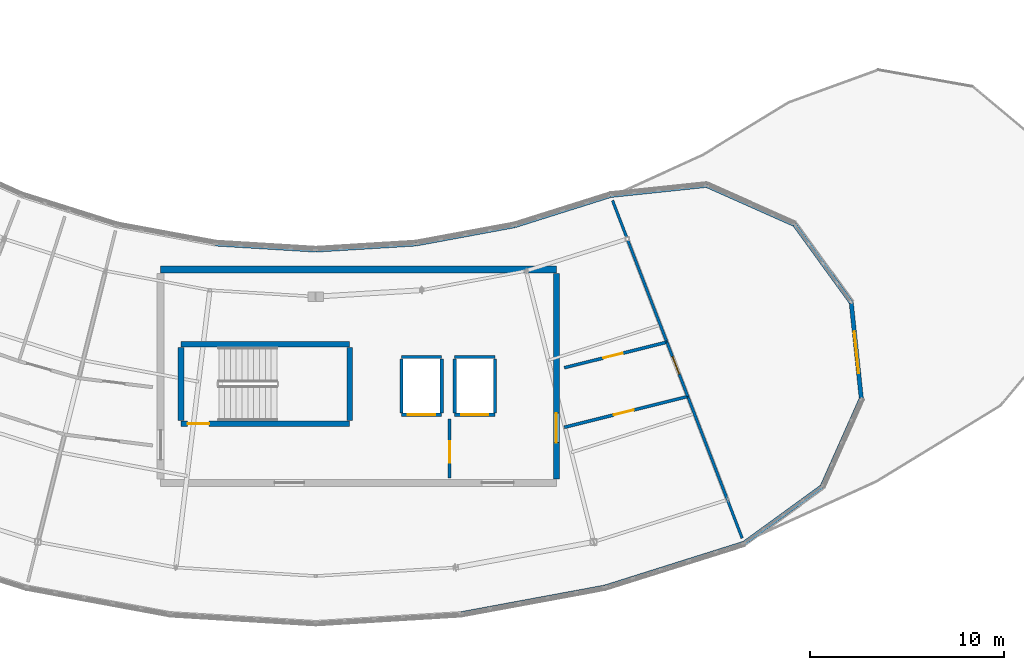
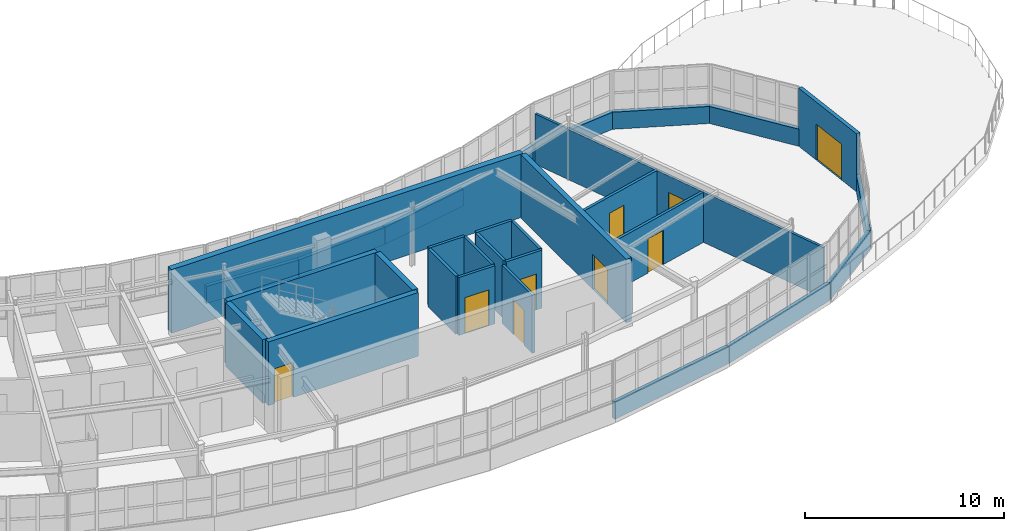
# One storey, part 53 of 65: 32 walls, 9 doors, 9 openings.
"""IFC4 building model written with IfcOpenShell, lengths in metres."""

from ifc_helpers import new_model, si_unit, direction, frame, frame_2d, origin, place, context, subcontext, project, spatial, rectangle, extrude, material, layer, layer_set, type_object, element, fill, save


model = new_model("IFC4")

# Units and contexts
model_context = context("Model", 3, precision=1e-05, world=origin(), true_north=direction((0.0, 1.0)))
body_context = subcontext(model_context, "Body", "Model", "MODEL_VIEW")
ifc_project = project(units=[si_unit("LENGTHUNIT", "METRE"), si_unit("AREAUNIT", "SQUARE_METRE"), si_unit("VOLUMEUNIT", "CUBIC_METRE"), si_unit("PLANEANGLEUNIT", "RADIAN"), si_unit("MASSUNIT", "GRAM", prefix="KILO")], contexts=[model_context])

# Site, building, storey
site_placement = place(None, origin())
site = spatial("IfcSite", under=ifc_project, at=site_placement, CompositionType="ELEMENT")
building_placement = place(site_placement, origin())
building = spatial("IfcBuilding", under=site, at=building_placement, Name="Tarnwether General Hospital", CompositionType="ELEMENT")
storey_placement = place(building_placement, frame((0.0, 0.0, 22.199951171875)))
storey = spatial("IfcBuildingStorey", under=building, at=storey_placement, Name="L05", CompositionType="ELEMENT", Elevation=22.199951171875)

# Walls
ifc_material_1 = material(Name="Streamlined white enamelled aluminium", Category="aluminium")
ifc_layer_1 = layer(ifc_material_1, 0.219970703125)
ifc_layer_set_1 = layer_set([ifc_layer_1], Name="Streamlined white enamelled aluminium")
wall_type_1 = type_object("IfcWallType", Name="WL-EX220", PredefinedType="STANDARD", material=ifc_layer_set_1)
wall_1_placement = place(storey_placement, frame((106.902099609375, 3.22998046875, 0.0), z_axis=(0.0, 0.0, 1.0), x_axis=(-0.983242805192, -0.18230081195, 0.0)))
element("IfcWall", 1, at=wall_1_placement, inside=storey, type_object=wall_type_1, Name="Ward SE Streamlined White Spandrel EW-L05-0225", PredefinedType="STANDARD", context=body_context, shape_type="SweptSolid", body=[
    extrude(rectangle(XDim=7.52099609375, YDim=0.219970703125, at=frame_2d((3.760498046875, 0.0))), origin(), (0.0, 0.0, 1.0), 1.050048828125),
])
wall_2_placement = place(storey_placement, frame((114.074951171875, 5.490966796875, 0.0), z_axis=(0.0, 0.0, 1.0), x_axis=(-0.953740021466, -0.300632618747, 0.0)))
element("IfcWall", 2, at=wall_2_placement, inside=storey, type_object=wall_type_1, Name="Ward SE Streamlined White Spandrel EW-L05-0226", PredefinedType="STANDARD", context=body_context, shape_type="SweptSolid", body=[
    extrude(rectangle(XDim=7.520751953125, YDim=0.219970703125, at=frame_2d((3.76025390625, 0.0))), origin(), (0.0, 0.0, 1.0), 1.050048828125),
])
wall_3_placement = place(storey_placement, frame((118.095947265625, 8.412109375, 0.0), z_axis=(0.0, 0.0, 1.0), x_axis=(-0.809043983396, -0.587748103299, 0.0)))
element("IfcWall", 3, at=wall_3_placement, inside=storey, type_object=wall_type_1, Name="Ward SE Streamlined White Spandrel EW-L05-0227", PredefinedType="STANDARD", context=body_context, shape_type="SweptSolid", body=[
    extrude(rectangle(XDim=4.969970703125, YDim=0.219970703125, at=frame_2d((2.48486328125, 0.0))), origin(), (0.0, 0.0, 1.0), 1.050048828125),
])
wall_4_placement = place(storey_placement, frame((120.116943359375, 12.951904296875, 0.0), z_axis=(0.0, 0.0, 1.0), x_axis=(-0.406694517229, -0.913564212114, 0.0)))
element("IfcWall", 4, at=wall_4_placement, inside=storey, type_object=wall_type_1, Name="Ward SE Streamlined White Spandrel EW-L05-0228", PredefinedType="STANDARD", context=body_context, shape_type="SweptSolid", body=[
    extrude(rectangle(XDim=4.96923828125, YDim=0.219970703125, at=frame_2d((2.484619140625, 0.0))), origin(), (0.0, 0.0, 1.0), 1.050048828125),
])

# Wall, opening, door
wall_5_placement = place(storey_placement, frame((119.597900390625, 17.89404296875, 0.0), z_axis=(0.0, 0.0, 1.0), x_axis=(0.104449497986, -0.994530191784, 0.0)))
wall_5 = element("IfcWall", 5, at=wall_5_placement, inside=storey, type_object=wall_type_1, Name="Ward SE Terrace Access Wall EW-L05-0229", PredefinedType="STANDARD", context=body_context, shape_type="SweptSolid", body=[
    extrude(rectangle(XDim=4.96923828125, YDim=0.219970703125, at=frame_2d((2.484619140625, 0.0))), origin(), (0.0, 0.0, 1.0), 3.56005859375),
])
opening_1_placement = place(wall_5_placement, frame((1.5, 0.0, 0.0)))
opening_1 = element("IfcOpeningElement", 6, at=opening_1_placement, cuts=wall_5, Name="Opening ED-03", PredefinedType="OPENING", context=body_context, shape_type="SweptSolid", body=[
    extrude(rectangle(XDim=2.159912109375, YDim=2.199951171875, at=frame_2d((1.080078125, 1.10009765625))), frame((0.0, 0.1201171875, 0.0), z_axis=(0.0, -1.0, 0.0), x_axis=(1.0, 0.0, 0.0)), (0.0, 0.0, 1.0), 0.239990234375),
])
ifc_material_2 = material(Name="Anodised aluminium", Category="aluminium")
door_type_1 = type_object("IfcDoorType", Name="DR-EX03", OperationType="NOTDEFINED", PredefinedType="DOOR", material=ifc_material_2)
door_1_placement = place(opening_1_placement, origin())
door_1 = element("IfcDoor", 7, at=door_1_placement, inside=storey, type_object=door_type_1, Name="Healing Terrace Access Door ED-L05-0002", OperationType="DOUBLE_DOOR_SINGLE_SWING", OverallHeight=2.199951171875, OverallWidth=2.159912109375, PredefinedType="DOOR", context=body_context, shape_type="SweptSolid", body=[
    extrude(rectangle(XDim=2.159912109375, YDim=2.199951171875, at=frame_2d((1.080078125, 1.10009765625))), frame((0.0, 0.02490234375, 0.0), z_axis=(0.0, -1.0, 0.0), x_axis=(1.0, 0.0, 0.0)), (0.0, 0.0, 1.0), 0.050048828125),
])
fill(opening_1, door_1)

# Walls
wall_6_placement = place(storey_placement, frame((116.677001953125, 21.9140625, 0.0), z_axis=(0.0, 0.0, 1.0), x_axis=(0.587809393373, -0.808999454303, 0.0)))
element("IfcWall", 8, at=wall_6_placement, inside=storey, type_object=wall_type_1, Name="Ward SE Streamlined White Spandrel EW-L05-0230", PredefinedType="STANDARD", context=body_context, shape_type="SweptSolid", body=[
    extrude(rectangle(XDim=4.96923828125, YDim=0.219970703125, at=frame_2d((2.484619140625, 0.0))), origin(), (0.0, 0.0, 1.0), 1.050048828125),
])
wall_7_placement = place(storey_placement, frame((112.136962890625, 23.93603515625, 0.0), z_axis=(0.0, 0.0, 1.0), x_axis=(0.913499319942, -0.406840254235, 0.0)))
element("IfcWall", 9, at=wall_7_placement, inside=storey, type_object=wall_type_1, Name="Ward SE Streamlined White Spandrel EW-L05-0231", PredefinedType="STANDARD", context=body_context, shape_type="SweptSolid", body=[
    extrude(rectangle(XDim=4.969970703125, YDim=0.219970703125, at=frame_2d((2.48486328125, 0.0))), origin(), (0.0, 0.0, 1.0), 1.050048828125),
])
wall_8_placement = place(storey_placement, frame((107.195068359375, 23.416015625, 0.0), z_axis=(0.0, 0.0, 1.0), x_axis=(0.994509221228, 0.10464897941, 0.0)))
element("IfcWall", 10, at=wall_8_placement, inside=storey, type_object=wall_type_1, Name="Ward SE Streamlined White Spandrel EW-L05-0232", PredefinedType="STANDARD", context=body_context, shape_type="SweptSolid", body=[
    extrude(rectangle(XDim=4.96923828125, YDim=0.219970703125, at=frame_2d((2.484619140625, 0.0))), origin(), (0.0, 0.0, 1.0), 1.050048828125),
])
wall_9_placement = place(storey_placement, frame((102.257080078125, 21.85888671875, 0.0), z_axis=(0.0, 0.0, 1.0), x_axis=(0.953706582316, 0.300738681994, 0.0)))
element("IfcWall", 11, at=wall_9_placement, inside=storey, type_object=wall_type_1, Name="Ward SE Streamlined White Spandrel EW-L05-0233", PredefinedType="STANDARD", context=body_context, shape_type="SweptSolid", body=[
    extrude(rectangle(XDim=5.177734375, YDim=0.219970703125, at=frame_2d((2.5888671875, 0.0))), origin(), (0.0, 0.0, 1.0), 1.050048828125),
])
for number, where, z_axis, x_axis, name in (
    (12, (97.1669921875, 20.916015625, 0.0), (0.0, 0.0, 1.0), (0.98327293422, 0.182138235501, 0.0), "Ward SE Streamlined White Spandrel EW-L05-0234"),
    (13, (92.0, 20.60009765625, 0.0), (0.0, 0.0, 1.0), (0.998136079034, 0.061027598104, 0.0), "Ward SE Streamlined White Spandrel EW-L05-0235"),
    (14, (86.8330078125, 20.916015625, 0.0), (0.0, 0.0, 1.0), (0.998136079034, -0.061027598104, 0.0), "Ward SE Streamlined White Spandrel EW-L05-0236"),
):
    element("IfcWall", number, at=place(storey_placement, frame(where, z_axis=z_axis, x_axis=x_axis)), inside=storey, type_object=wall_type_1, Name=name, PredefinedType="STANDARD", context=body_context, shape_type="SweptSolid", body=[
        extrude(rectangle(XDim=5.1767578125, YDim=0.219970703125, at=frame_2d((2.58837890625, 0.0))), origin(), (0.0, 0.0, 1.0), 1.050048828125),
    ])
ifc_material_3 = material(Name="Gypsum plasterboard")
ifc_layer_2 = layer(ifc_material_3, 0.139892578125)
ifc_layer_set_2 = layer_set([ifc_layer_2], Name="Gypsum plasterboard")
wall_type_2 = type_object("IfcWallType", Name="WL-PT140", PredefinedType="PARTITIONING", material=ifc_layer_set_2)
wall_10_placement = place(storey_placement, frame((111.173095703125, 13.052978515625, 0.0), z_axis=(0.0, 0.0, 1.0), x_axis=(0.358342954102, -0.933590020965, 0.0)))
element("IfcWall", 15, at=wall_10_placement, inside=storey, type_object=wall_type_2, Name="Interior Partition PT-L05-0466", PredefinedType="PARTITIONING", context=body_context, shape_type="SweptSolid", body=[
    extrude(rectangle(XDim=7.8193359375, YDim=0.139892578125, at=frame_2d((3.90966796875, 0.0))), origin(), (0.0, 0.0, 1.0), 3.088134765625),
])
wall_11_placement = place(storey_placement, frame((110.097900390625, 15.85400390625, 0.0), z_axis=(0.0, 0.0, 1.0), x_axis=(-0.358410014332, 0.933564278251, 0.0)))
element("IfcWall", 16, at=wall_11_placement, inside=storey, type_object=wall_type_2, Name="Interior Partition PT-L05-0468", PredefinedType="PARTITIONING", context=body_context, shape_type="SweptSolid", body=[
    extrude(rectangle(XDim=7.820556640625, YDim=0.139892578125, at=frame_2d((3.91015625, 0.0))), origin(), (0.0, 0.0, 1.0), 3.088134765625),
])

# Wall, opening, door
wall_12_placement = place(storey_placement, frame((110.097900390625, 15.85400390625, 0.0), z_axis=(0.0, 0.0, 1.0), x_axis=(0.358362837932, -0.933582388646, 0.0)))
wall_12 = element("IfcWall", 17, at=wall_12_placement, inside=storey, type_object=wall_type_2, Name="Interior Partition PT-L05-0470", PredefinedType="PARTITIONING", context=body_context, shape_type="SweptSolid", body=[
    extrude(rectangle(XDim=3.000244140625, YDim=0.139892578125, at=frame_2d((1.5, 0.0))), origin(), (0.0, 0.0, 1.0), 3.088134765625),
])
opening_2_placement = place(wall_12_placement, frame((0.800048828125, 0.0, 0.0)))
opening_2 = element("IfcOpeningElement", 18, at=opening_2_placement, cuts=wall_12, Name="Opening D-10", PredefinedType="OPENING", context=body_context, shape_type="SweptSolid", body=[
    extrude(rectangle(XDim=0.9599609375, YDim=2.06005859375, at=frame_2d((0.47998046875, 1.030029296875))), frame((0.0, 0.080078125, 0.0), z_axis=(0.0, -1.0, 0.0), x_axis=(1.0, 0.0, 0.0)), (0.0, 0.0, 1.0), 0.159912109375),
])
ifc_material_4 = material(Name="Anodised aluminium", Category="aluminium")
door_type_2 = type_object("IfcDoorType", Name="DR-IN10", OperationType="NOTDEFINED", PredefinedType="DOOR", material=ifc_material_4)
door_2_placement = place(opening_2_placement, origin())
door_2 = element("IfcDoor", 19, at=door_2_placement, inside=storey, type_object=door_type_2, Name="Interior Door DR-L05-0260", OperationType="SINGLE_SWING_RIGHT", OverallHeight=2.06005859375, OverallWidth=0.9599609375, PredefinedType="DOOR", context=body_context, shape_type="SweptSolid", body=[
    extrude(rectangle(XDim=0.9599609375, YDim=2.06005859375, at=frame_2d((0.47998046875, 1.030029296875))), frame((0.0, 0.02490234375, 0.0), z_axis=(0.0, -1.0, 0.0), x_axis=(1.0, 0.0, 0.0)), (0.0, 0.0, 1.0), 0.050048828125),
])
fill(opening_2, door_2)

ifc_material_5 = material(Name="Gypsum plasterboard")
ifc_layer_3 = layer(ifc_material_5, 0.159912109375)
ifc_layer_set_3 = layer_set([ifc_layer_3], Name="Gypsum plasterboard")
wall_type_3 = type_object("IfcWallType", Name="WL-PT160", PredefinedType="PARTITIONING", material=ifc_layer_set_3)
wall_13_placement = place(storey_placement, frame((96.409912109375, 12.110107421875, 0.0), z_axis=(0.0, 0.0, 1.0), x_axis=(1.0, 0.0, 0.0)))
wall_13 = element("IfcWall", 20, at=wall_13_placement, inside=storey, type_object=wall_type_3, Name="Lift L-02 Shaft Wall LSH-L-02-L05-S", PredefinedType="PARTITIONING", context=body_context, shape_type="SweptSolid", body=[
    extrude(rectangle(XDim=2.080078125, YDim=0.159912109375, at=frame_2d((1.0400390625, 0.0))), origin(), (0.0, 0.0, 1.0), 3.56005859375),
])
opening_3_placement = place(wall_13_placement, frame((0.340087890625, 0.0, 0.0)))
opening_3 = element("IfcOpeningElement", 21, at=opening_3_placement, cuts=wall_13, Name="Opening LD-01", PredefinedType="OPENING", context=body_context, shape_type="SweptSolid", body=[
    extrude(rectangle(XDim=1.39990234375, YDim=2.199951171875, at=frame_2d((0.699951171875, 1.10009765625))), frame((0.0, 0.08984375, 0.0), z_axis=(0.0, -1.0, 0.0), x_axis=(1.0, 0.0, 0.0)), (0.0, 0.0, 1.0), 0.179931640625),
])
ifc_material_6 = material(Name="Anodised aluminium", Category="aluminium")
door_type_3 = type_object("IfcDoorType", Name="DR-LD01", OperationType="NOTDEFINED", PredefinedType="DOOR", material=ifc_material_6)
door_3_placement = place(opening_3_placement, origin())
door_3 = element("IfcDoor", 22, at=door_3_placement, inside=storey, type_object=door_type_3, Name="Lift L-02 Sliding Landing Door L05", OperationType="SLIDING_TO_LEFT", OverallHeight=2.199951171875, OverallWidth=1.39990234375, PredefinedType="DOOR", context=body_context, shape_type="SweptSolid", body=[
    extrude(rectangle(XDim=1.39990234375, YDim=2.199951171875, at=frame_2d((0.699951171875, 1.10009765625))), frame((0.0, 0.02490234375, 0.0), z_axis=(0.0, -1.0, 0.0), x_axis=(1.0, 0.0, 0.0)), (0.0, 0.0, 1.0), 0.050048828125),
])
fill(opening_3, door_3)

# Walls
wall_14_placement = place(storey_placement, frame((98.489990234375, 15.090087890625, 0.0), z_axis=(0.0, 0.0, 1.0), x_axis=(-1.0, 0.0, 0.0)))
element("IfcWall", 23, at=wall_14_placement, inside=storey, type_object=wall_type_3, Name="Lift L-02 Shaft Wall LSH-L-02-L05-N", PredefinedType="PARTITIONING", context=body_context, shape_type="SweptSolid", body=[
    extrude(rectangle(XDim=2.080078125, YDim=0.159912109375, at=frame_2d((1.0400390625, 0.0))), origin(), (0.0, 0.0, 1.0), 3.56005859375),
])
for number, where, z_axis, x_axis, name in (
    (24, (96.409912109375, 14.989990234375, 0.0), (0.0, 0.0, 1.0), (0.0, -1.0, 0.0), "Lift L-02 Shaft Wall LSH-L-02-L05-W"),
    (25, (98.489990234375, 12.2099609375, 0.0), (0.0, 0.0, 1.0), (0.0, 1.0, 0.0), "Lift L-02 Shaft Wall LSH-L-02-L05-E"),
):
    element("IfcWall", number, at=place(storey_placement, frame(where, z_axis=z_axis, x_axis=x_axis)), inside=storey, type_object=wall_type_3, Name=name, PredefinedType="PARTITIONING", context=body_context, shape_type="SweptSolid", body=[
        extrude(rectangle(XDim=2.780029296875, YDim=0.159912109375, at=frame_2d((1.39013671875, 0.0))), origin(), (0.0, 0.0, 1.0), 3.56005859375),
    ])

# Wall, opening, door
wall_15_placement = place(storey_placement, frame((99.159912109375, 12.110107421875, 0.0), z_axis=(0.0, 0.0, 1.0), x_axis=(1.0, 0.0, 0.0)))
wall_15 = element("IfcWall", 26, at=wall_15_placement, inside=storey, type_object=wall_type_3, Name="Lift L-04 Shaft Wall LSH-L-04-L05-S", PredefinedType="PARTITIONING", context=body_context, shape_type="SweptSolid", body=[
    extrude(rectangle(XDim=2.080078125, YDim=0.159912109375, at=frame_2d((1.0400390625, 0.0))), origin(), (0.0, 0.0, 1.0), 3.56005859375),
])
opening_4_placement = place(wall_15_placement, frame((0.340087890625, 0.0, 0.0)))
opening_4 = element("IfcOpeningElement", 27, at=opening_4_placement, cuts=wall_15, Name="Opening LD-01", PredefinedType="OPENING", context=body_context, shape_type="SweptSolid", body=[
    extrude(rectangle(XDim=1.39990234375, YDim=2.199951171875, at=frame_2d((0.699951171875, 1.10009765625))), frame((0.0, 0.08984375, 0.0), z_axis=(0.0, -1.0, 0.0), x_axis=(1.0, 0.0, 0.0)), (0.0, 0.0, 1.0), 0.179931640625),
])
door_4_placement = place(opening_4_placement, origin())
door_4 = element("IfcDoor", 28, at=door_4_placement, inside=storey, type_object=door_type_3, Name="Lift L-04 Sliding Landing Door L05", OperationType="SLIDING_TO_LEFT", OverallHeight=2.199951171875, OverallWidth=1.39990234375, PredefinedType="DOOR", context=body_context, shape_type="SweptSolid", body=[
    extrude(rectangle(XDim=1.39990234375, YDim=2.199951171875, at=frame_2d((0.699951171875, 1.10009765625))), frame((0.0, 0.02490234375, 0.0), z_axis=(0.0, -1.0, 0.0), x_axis=(1.0, 0.0, 0.0)), (0.0, 0.0, 1.0), 0.050048828125),
])
fill(opening_4, door_4)

# Walls
wall_16_placement = place(storey_placement, frame((101.239990234375, 15.090087890625, 0.0), z_axis=(0.0, 0.0, 1.0), x_axis=(-1.0, 0.0, 0.0)))
element("IfcWall", 29, at=wall_16_placement, inside=storey, type_object=wall_type_3, Name="Lift L-04 Shaft Wall LSH-L-04-L05-N", PredefinedType="PARTITIONING", context=body_context, shape_type="SweptSolid", body=[
    extrude(rectangle(XDim=2.080078125, YDim=0.159912109375, at=frame_2d((1.0400390625, 0.0))), origin(), (0.0, 0.0, 1.0), 3.56005859375),
])
for number, where, z_axis, x_axis, name in (
    (30, (99.159912109375, 14.989990234375, 0.0), (0.0, 0.0, 1.0), (0.0, -1.0, 0.0), "Lift L-04 Shaft Wall LSH-L-04-L05-W"),
    (31, (101.239990234375, 12.2099609375, 0.0), (0.0, 0.0, 1.0), (0.0, 1.0, 0.0), "Lift L-04 Shaft Wall LSH-L-04-L05-E"),
):
    element("IfcWall", number, at=place(storey_placement, frame(where, z_axis=z_axis, x_axis=x_axis)), inside=storey, type_object=wall_type_3, Name=name, PredefinedType="PARTITIONING", context=body_context, shape_type="SweptSolid", body=[
        extrude(rectangle(XDim=2.780029296875, YDim=0.159912109375, at=frame_2d((1.39013671875, 0.0))), origin(), (0.0, 0.0, 1.0), 3.56005859375),
    ])

# Wall, opening, door
wall_17_placement = place(storey_placement, frame((98.89990234375, 8.85009765625, 0.0), z_axis=(0.0, 0.0, 1.0), x_axis=(0.0, 1.0, 0.0)))
wall_17 = element("IfcWall", 32, at=wall_17_placement, inside=storey, type_object=wall_type_3, Name="Firefighting Lobby Divider K2 L05", PredefinedType="PARTITIONING", context=body_context, shape_type="SweptSolid", body=[
    extrude(rectangle(XDim=3.0498046875, YDim=0.159912109375, at=frame_2d((1.52490234375, 0.0))), origin(), (0.0, 0.0, 1.0), 3.56005859375),
])
opening_5_placement = place(wall_17_placement, frame((0.800048828125, 0.0, 0.0)))
opening_5 = element("IfcOpeningElement", 33, at=opening_5_placement, cuts=wall_17, Name="Opening FD-06", PredefinedType="OPENING", context=body_context, shape_type="SweptSolid", body=[
    extrude(rectangle(XDim=1.10009765625, YDim=2.14990234375, at=frame_2d((0.550048828125, 1.074951171875))), frame((0.0, 0.08984375, 0.0), z_axis=(0.0, -1.0, 0.0), x_axis=(1.0, 0.0, 0.0)), (0.0, 0.0, 1.0), 0.179931640625),
])
ifc_material_7 = material(Name="Anodised aluminium", Category="aluminium")
door_type_4 = type_object("IfcDoorType", Name="DR-FD06", OperationType="NOTDEFINED", PredefinedType="DOOR", material=ifc_material_7)
door_5_placement = place(opening_5_placement, origin())
door_5 = element("IfcDoor", 34, at=door_5_placement, inside=storey, type_object=door_type_4, Name="Core K2 Inter-Lobby Smoke Door L05", OperationType="SINGLE_SWING_RIGHT", OverallHeight=2.14990234375, OverallWidth=1.10009765625, PredefinedType="DOOR", context=body_context, shape_type="SweptSolid", body=[
    extrude(rectangle(XDim=1.10009765625, YDim=2.14990234375, at=frame_2d((0.550048828125, 1.074951171875))), frame((0.0, 0.02490234375, 0.0), z_axis=(0.0, -1.0, 0.0), x_axis=(1.0, 0.0, 0.0)), (0.0, 0.0, 1.0), 0.050048828125),
])
fill(opening_5, door_5)

wall_18_placement = place(storey_placement, frame((104.81005859375, 11.467041015625, 0.0), z_axis=(0.0, 0.0, 1.0), x_axis=(0.970315261497, 0.241843530625, 0.0)))
wall_18 = element("IfcWall", 35, at=wall_18_placement, inside=storey, type_object=wall_type_3, Name="Interior Partition PT-L05-0465", PredefinedType="PARTITIONING", context=body_context, shape_type="SweptSolid", body=[
    extrude(rectangle(XDim=6.5576171875, YDim=0.159912109375, at=frame_2d((3.27880859375, 0.0))), origin(), (0.0, 0.0, 1.0), 3.0849609375),
])
opening_6_placement = place(wall_18_placement, frame((2.62890625, 0.0, 0.0)))
opening_6 = element("IfcOpeningElement", 36, at=opening_6_placement, cuts=wall_18, Name="Opening D-08", PredefinedType="OPENING", context=body_context, shape_type="SweptSolid", body=[
    extrude(rectangle(XDim=1.06005859375, YDim=2.10009765625, at=frame_2d((0.530029296875, 1.050048828125))), frame((0.0, 0.08984375, 0.0), z_axis=(0.0, -1.0, 0.0), x_axis=(1.0, 0.0, 0.0)), (0.0, 0.0, 1.0), 0.179931640625),
])
ifc_material_8 = material(Name="Anodised aluminium", Category="aluminium")
door_type_5 = type_object("IfcDoorType", Name="DR-IN08", OperationType="NOTDEFINED", PredefinedType="DOOR", material=ifc_material_8)
door_6_placement = place(opening_6_placement, origin())
door_6 = element("IfcDoor", 37, at=door_6_placement, inside=storey, type_object=door_type_5, Name="Interior Door DR-L05-0258", OperationType="SINGLE_SWING_RIGHT", OverallHeight=2.10009765625, OverallWidth=1.06005859375, PredefinedType="DOOR", context=body_context, shape_type="SweptSolid", body=[
    extrude(rectangle(XDim=1.06005859375, YDim=2.10009765625, at=frame_2d((0.530029296875, 1.050048828125))), frame((0.0, 0.02490234375, 0.0), z_axis=(0.0, -1.0, 0.0), x_axis=(1.0, 0.0, 0.0)), (0.0, 0.0, 1.0), 0.050048828125),
])
fill(opening_6, door_6)

wall_19_placement = place(storey_placement, frame((104.81005859375, 14.535888671875, 0.0), z_axis=(0.0, 0.0, 1.0), x_axis=(0.970308293834, 0.241871484298, 0.0)))
wall_19 = element("IfcWall", 38, at=wall_19_placement, inside=storey, type_object=wall_type_3, Name="Interior Partition PT-L05-0467", PredefinedType="PARTITIONING", context=body_context, shape_type="SweptSolid", body=[
    extrude(rectangle(XDim=5.44970703125, YDim=0.159912109375, at=frame_2d((2.724853515625, 0.0))), origin(), (0.0, 0.0, 1.0), 3.088134765625),
])
opening_7_placement = place(wall_19_placement, frame((2.074951171875, 0.0, 0.0)))
opening_7 = element("IfcOpeningElement", 39, at=opening_7_placement, cuts=wall_19, Name="Opening D-09", PredefinedType="OPENING", context=body_context, shape_type="SweptSolid", body=[
    extrude(rectangle(XDim=1.02001953125, YDim=2.080078125, at=frame_2d((0.510009765625, 1.0400390625))), frame((0.0, 0.08984375, 0.0), z_axis=(0.0, -1.0, 0.0), x_axis=(1.0, 0.0, 0.0)), (0.0, 0.0, 1.0), 0.179931640625),
])
ifc_material_9 = material(Name="Anodised aluminium", Category="aluminium")
door_type_6 = type_object("IfcDoorType", Name="DR-IN09", OperationType="NOTDEFINED", PredefinedType="DOOR", material=ifc_material_9)
door_7_placement = place(opening_7_placement, origin())
door_7 = element("IfcDoor", 40, at=door_7_placement, inside=storey, type_object=door_type_6, Name="Interior Door DR-L05-0259", OperationType="SINGLE_SWING_LEFT", OverallHeight=2.080078125, OverallWidth=1.02001953125, PredefinedType="DOOR", context=body_context, shape_type="SweptSolid", body=[
    extrude(rectangle(XDim=1.02001953125, YDim=2.080078125, at=frame_2d((0.510009765625, 1.0400390625))), frame((0.0, 0.02490234375, 0.0), z_axis=(0.0, -1.0, 0.0), x_axis=(1.0, 0.0, 0.0)), (0.0, 0.0, 1.0), 0.050048828125),
])
fill(opening_7, door_7)

ifc_material_10 = material(Name="Concrete 50 MPa", Category="concrete")
ifc_layer_4 = layer(ifc_material_10, 0.300048828125)
ifc_layer_set_4 = layer_set([ifc_layer_4], Name="Concrete 50 MPa")
wall_type_4 = type_object("IfcWallType", Name="WL-SW300", PredefinedType="SHEAR", material=ifc_layer_set_4)
wall_20_placement = place(storey_placement, frame((104.39990234375, 19.39990234375, 0.0), z_axis=(0.0, 0.0, 1.0), x_axis=(0.0, -1.0, 0.0)))
wall_20 = element("IfcWall", 41, at=wall_20_placement, inside=storey, type_object=wall_type_4, Name="Core Shear Wall CWALL-K2-L05-E", PredefinedType="SHEAR", context=body_context, shape_type="SweptSolid", body=[
    extrude(rectangle(XDim=10.599853515625, YDim=0.300048828125, at=frame_2d((5.2998046875, 0.0))), origin(), (0.0, 0.0, 1.0), 3.900146484375),
])
opening_8_placement = place(wall_20_placement, frame((7.199951171875, 0.0, 0.0)))
opening_8 = element("IfcOpeningElement", 42, at=opening_8_placement, cuts=wall_20, Name="Opening FD-02", PredefinedType="OPENING", context=body_context, shape_type="SweptSolid", body=[
    extrude(rectangle(XDim=1.52001953125, YDim=2.159912109375, at=frame_2d((0.760009765625, 1.080078125))), frame((0.0, 0.16015625, 0.0), z_axis=(0.0, -1.0, 0.0), x_axis=(1.0, 0.0, 0.0)), (0.0, 0.0, 1.0), 0.320068359375),
])
ifc_material_11 = material(Name="Anodised aluminium", Category="aluminium")
door_type_7 = type_object("IfcDoorType", Name="DR-FD02", OperationType="NOTDEFINED", PredefinedType="DOOR", material=ifc_material_11)
door_8_placement = place(opening_8_placement, origin())
door_8 = element("IfcDoor", 43, at=door_8_placement, inside=storey, type_object=door_type_7, Name="Core K2 Ward Corridor Fire Door L05", OperationType="SINGLE_SWING_LEFT", OverallHeight=2.159912109375, OverallWidth=1.52001953125, PredefinedType="DOOR", context=body_context, shape_type="SweptSolid", body=[
    extrude(rectangle(XDim=1.52001953125, YDim=2.159912109375, at=frame_2d((0.760009765625, 1.080078125))), frame((0.0, 0.02490234375, 0.0), z_axis=(0.0, -1.0, 0.0), x_axis=(1.0, 0.0, 0.0)), (0.0, 0.0, 1.0), 0.050048828125),
])
fill(opening_8, door_8)

wall_21_placement = place(storey_placement, frame((85.050048828125, 11.64990234375, 0.0), z_axis=(0.0, 0.0, 1.0), x_axis=(1.0, 0.0, 0.0)))
wall_21 = element("IfcWall", 44, at=wall_21_placement, inside=storey, type_object=wall_type_4, Name="Stairwell Shear Wall STW-ST-02-L05-B", PredefinedType="SHEAR", context=body_context, shape_type="SweptSolid", body=[
    extrude(rectangle(XDim=8.699951171875, YDim=0.300048828125, at=frame_2d((4.35009765625, 0.0))), origin(), (0.0, 0.0, 1.0), 3.900146484375),
])
opening_9_placement = place(wall_21_placement, frame((0.35009765625, 0.0, 0.0)))
opening_9 = element("IfcOpeningElement", 45, at=opening_9_placement, cuts=wall_21, Name="Opening FD-06", PredefinedType="OPENING", context=body_context, shape_type="SweptSolid", body=[
    extrude(rectangle(XDim=1.10009765625, YDim=2.14990234375, at=frame_2d((0.550048828125, 1.074951171875))), frame((0.0, 0.16015625, 0.0), z_axis=(0.0, -1.0, 0.0), x_axis=(1.0, 0.0, 0.0)), (0.0, 0.0, 1.0), 0.320068359375),
])
door_9_placement = place(opening_9_placement, origin())
door_9 = element("IfcDoor", 46, at=door_9_placement, inside=storey, type_object=door_type_4, Name="Stairwell ST-02 Safe-Path Fire Door L05", OperationType="SINGLE_SWING_LEFT", OverallHeight=2.14990234375, OverallWidth=1.10009765625, PredefinedType="DOOR", context=body_context, shape_type="SweptSolid", body=[
    extrude(rectangle(XDim=1.10009765625, YDim=2.14990234375, at=frame_2d((0.550048828125, 1.074951171875))), frame((0.0, 0.02490234375, 0.0), z_axis=(0.0, -1.0, 0.0), x_axis=(1.0, 0.0, 0.0)), (0.0, 0.0, 1.0), 0.050048828125),
])
fill(opening_9, door_9)

# Walls
wall_22_placement = place(storey_placement, frame((93.75, 15.75, 0.0), z_axis=(0.0, 0.0, 1.0), x_axis=(-1.0, 0.0, 0.0)))
element("IfcWall", 47, at=wall_22_placement, inside=storey, type_object=wall_type_4, Name="Stairwell Shear Wall STW-ST-02-L05-N", PredefinedType="SHEAR", context=body_context, shape_type="SweptSolid", body=[
    extrude(rectangle(XDim=8.699951171875, YDim=0.300048828125, at=frame_2d((4.35009765625, 0.0))), origin(), (0.0, 0.0, 1.0), 3.900146484375),
])
for number, where, z_axis, x_axis, name in (
    (48, (85.050048828125, 11.820068359375, 0.0), (0.0, 0.0, 1.0), (0.0, 1.0, 0.0), "Stairwell Shear Wall STW-ST-02-L05-L"),
    (49, (93.75, 11.820068359375, 0.0), (0.0, 0.0, 1.0), (0.0, 1.0, 0.0), "Stairwell Shear Wall STW-ST-02-L05-F"),
):
    element("IfcWall", number, at=place(storey_placement, frame(where, z_axis=z_axis, x_axis=x_axis)), inside=storey, type_object=wall_type_4, Name=name, PredefinedType="SHEAR", context=body_context, shape_type="SweptSolid", body=[
        extrude(rectangle(XDim=3.760009765625, YDim=0.300048828125, at=frame_2d((1.8798828125, 0.0))), origin(), (0.0, 0.0, 1.0), 3.900146484375),
    ])
ifc_material_12 = material(Name="Concrete 50 MPa", Category="concrete")
ifc_layer_5 = layer(ifc_material_12, 0.35009765625)
ifc_layer_set_5 = layer_set([ifc_layer_5], Name="Concrete 50 MPa")
wall_type_5 = type_object("IfcWallType", Name="WL-SW350", PredefinedType="SHEAR", material=ifc_layer_set_5)
wall_23_placement = place(storey_placement, frame((84.0, 19.60009765625, 0.0), z_axis=(0.0, 0.0, 1.0), x_axis=(1.0, 0.0, 0.0)))
element("IfcWall", 50, at=wall_23_placement, inside=storey, type_object=wall_type_5, Name="Core Shear Wall CWALL-K2-L05-N", PredefinedType="SHEAR", context=body_context, shape_type="SweptSolid", body=[
    extrude(rectangle(XDim=20.39990234375, YDim=0.35009765625, at=frame_2d((10.199951171875, 0.0))), origin(), (0.0, 0.0, 1.0), 3.900146484375),
])

save(model, "model.ifc")
